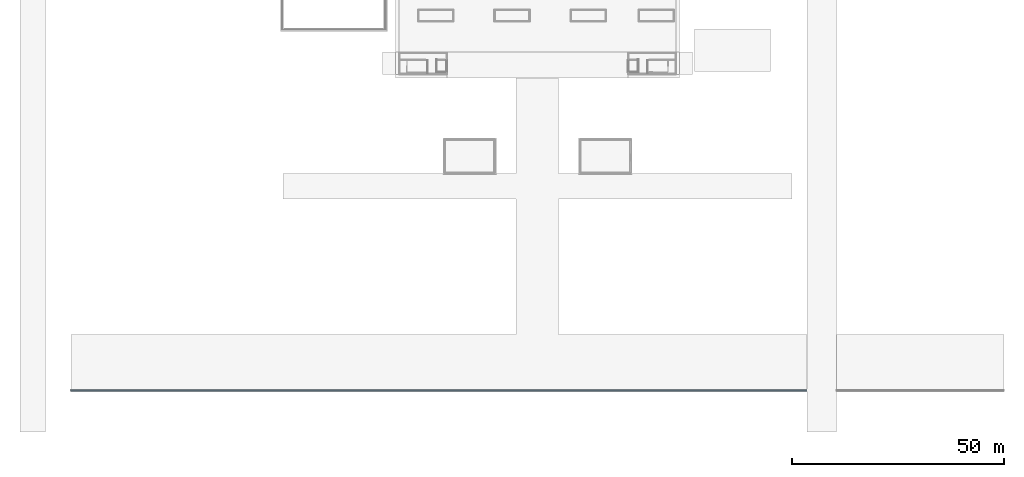
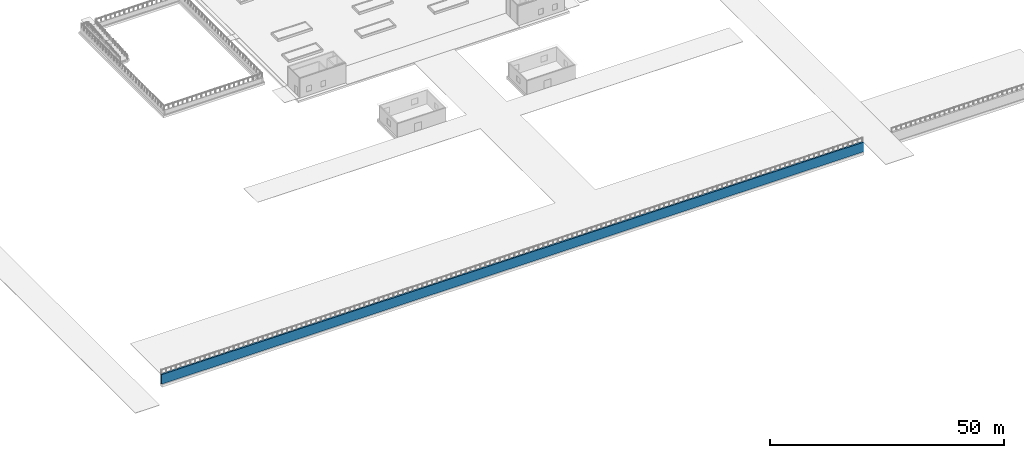
# One storey, part 23 of 60: 1 wall.
"""IFC4 building model written with IfcOpenShell, lengths in metres."""

from ifc_helpers import new_model, si_unit, direction, frame, frame_2d, origin, place, context, subcontext, project, spatial, rectangle, extrude, material, layer, layer_set, type_object, element, save


model = new_model("IFC4")

# Units and contexts
model_context = context("Model", 3, precision=1e-05, world=origin(), true_north=direction((0.0, 1.0)))
body_context = subcontext(model_context, "Body", "Model", "MODEL_VIEW")
ifc_project = project(units=[si_unit("LENGTHUNIT", "METRE"), si_unit("AREAUNIT", "SQUARE_METRE"), si_unit("VOLUMEUNIT", "CUBIC_METRE"), si_unit("PLANEANGLEUNIT", "RADIAN"), si_unit("MASSUNIT", "GRAM", prefix="KILO")], contexts=[model_context])

# Site, building, storey
site_placement = place(None, origin())
site = spatial("IfcSite", under=ifc_project, at=site_placement, CompositionType="ELEMENT")
building_placement = place(site_placement, origin())
building = spatial("IfcBuilding", under=site, at=building_placement, Name="Stone Belt Terrace Tower", CompositionType="ELEMENT")
storey_placement = place(building_placement, origin())
storey = spatial("IfcBuildingStorey", under=building, at=storey_placement, Name="L00", CompositionType="ELEMENT", Elevation=0.0)

# Wall
ifc_material = material(Name="Concrete B30", Category="concrete")
ifc_layer = layer(ifc_material, 0.39990234375)
ifc_layer_set = layer_set([ifc_layer], Name="Embankment retaining wall 400")
wall_type = type_object("IfcWallType", Name="Embankment retaining wall 400", PredefinedType="SOLIDWALL", material=ifc_layer_set)
wall_placement = place(storey_placement, frame((-110.0, -125.199951171875, -2.5), z_axis=(0.0, 0.0, 1.0), x_axis=(1.0, 0.0, 0.0)))
element("IfcWall", 1, at=wall_placement, inside=storey, type_object=wall_type, Name="Embankment retaining wall", PredefinedType="SOLIDWALL", context=body_context, shape_type="SweptSolid", body=[
    extrude(rectangle(XDim=173.5, YDim=0.39990234375, at=frame_2d((86.75, 0.0))), origin(), (0.0, 0.0, 1.0), 2.5),
])

save(model, "model.ifc")
